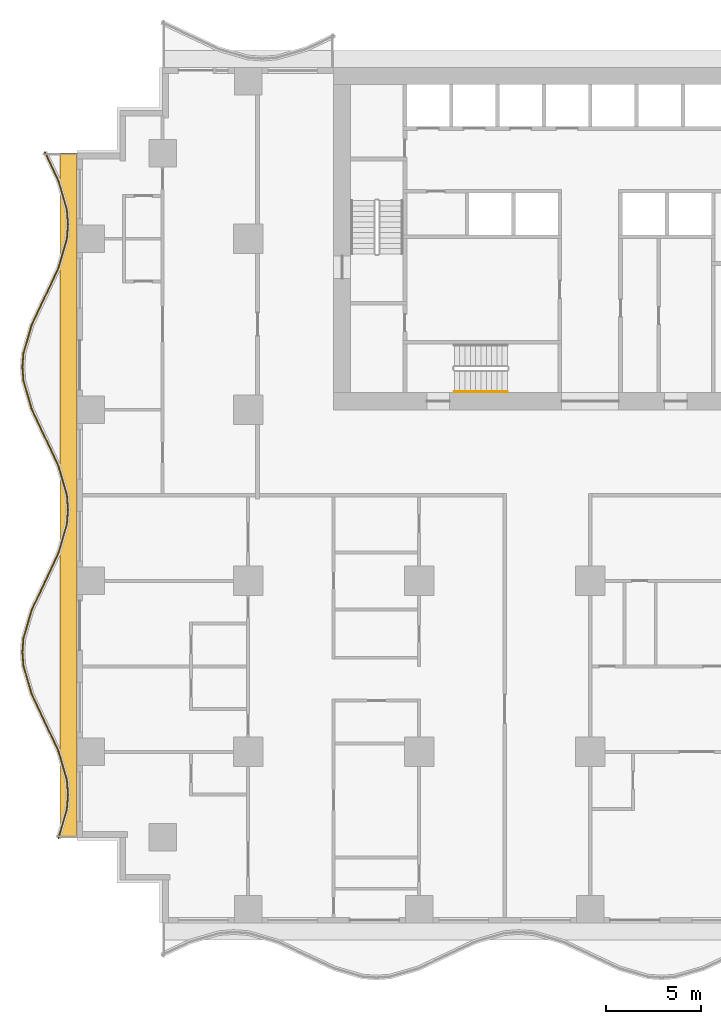
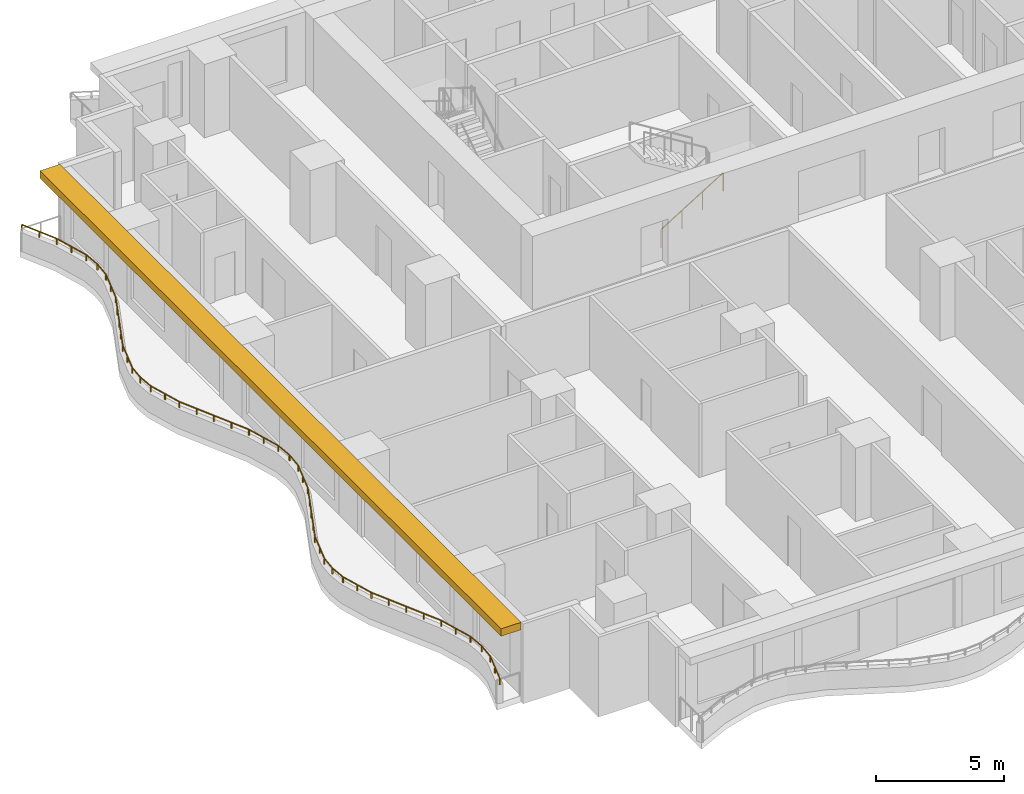
# One storey, part 9 of 14: 2 railings, 1 shading device.
"""IFC4 building model written with IfcOpenShell, lengths in metres."""

from ifc_helpers import new_model, si_unit, direction, frame, origin, origin_2d, place, context, subcontext, project, spatial, polyline, rectangle, circle, outline, extrude, material, layer, layer_set, type_object, element, save


model = new_model("IFC4")

# Units and contexts
model_context = context("Model", 3, precision=1e-05, world=origin(), true_north=direction((0.0, 1.0)))
body_context = subcontext(model_context, "Body", "Model", "MODEL_VIEW")
ifc_project = project(units=[si_unit("LENGTHUNIT", "METRE"), si_unit("AREAUNIT", "SQUARE_METRE"), si_unit("VOLUMEUNIT", "CUBIC_METRE"), si_unit("PLANEANGLEUNIT", "RADIAN"), si_unit("MASSUNIT", "GRAM", prefix="KILO")], contexts=[model_context])

# Site, building, storey
site_placement = place(None, origin())
site = spatial("IfcSite", under=ifc_project, at=site_placement, CompositionType="ELEMENT")
building_placement = place(site_placement, origin())
building = spatial("IfcBuilding", under=site, at=building_placement, Name="Orbiselva Terraces", CompositionType="ELEMENT")
storey_placement = place(building_placement, frame((0.0, 0.0, 30.2)))
storey = spatial("IfcBuildingStorey", under=building, at=storey_placement, Name="L07", CompositionType="ELEMENT", Elevation=30.2)

# Railings
ifc_material_1 = material(Name="Stainless steel", Category="steel")
railing_type_1 = type_object("IfcRailingType", Name="CORE-HANDRAIL-900", PredefinedType="HANDRAIL", material=ifc_material_1)
railing_1_placement = place(storey_placement, frame((-7.15, 5.45, 0.172727)))
element("IfcRailing", 1, at=railing_1_placement, inside=storey, type_object=railing_type_1, Name="L07 S3 stair handrail 1", PredefinedType="HANDRAIL", context=body_context, shape_type="SweptSolid", body=[
    extrude(circle(Radius=0.024, at=origin_2d()), frame((0.0, 0.0, 0.876), z_axis=(0.851088519012, 0.0, 0.52502222125), x_axis=(0.0, 1.0, 0.0)), (0.0, 0.0, 1.0), 3.289905),
    extrude(circle(Radius=0.021, at=origin_2d()), origin(), (0.0, 0.0, 1.0), 0.852),
    extrude(circle(Radius=0.021, at=origin_2d()), frame((0.933333, 0.0, 0.575758)), (0.0, 0.0, 1.0), 0.852),
    extrude(circle(Radius=0.021, at=origin_2d()), frame((1.866667, 0.0, 1.151515)), (0.0, 0.0, 1.0), 0.852),
    extrude(circle(Radius=0.021, at=origin_2d()), frame((2.8, 0.0, 1.727273)), (0.0, 0.0, 1.0), 0.852),
])
ifc_material_2 = material(Name="Bonded two-ply safety glass balustrade, stainless steel posts", Category="steel")
railing_type_2 = type_object("IfcRailingType", Name="ENV-BALUSTRADE-1200", PredefinedType="BALUSTRADE", material=ifc_material_2)
railing_2_placement = place(storey_placement, frame((-28.686882, 18.053191, 0.9)))
element("IfcRailing", 2, at=railing_2_placement, inside=storey, type_object=railing_type_2, Name="Balcony balustrade L07 W", PredefinedType="BALUSTRADE", context=body_context, shape_type="SweptSolid", body=[
    extrude(outline(polyline([(0.028868, 0.0), (0.014434, 0.025), (-0.014434, 0.025), (-0.028868, 0.0), (-0.014434, -0.025), (0.014434, -0.025), (0.028868, 0.0)])), frame((0.0, 0.0, 0.275), z_axis=(0.425530342069, -0.904944157382, 0.0), x_axis=(0.904944157382, 0.425530342069, 0.0)), (0.0, 0.0, 1.0), 1.667376),
    extrude(outline(polyline([(0.028868, 0.0), (0.014434, 0.025), (-0.014434, 0.025), (-0.028868, 0.0), (-0.014434, -0.025), (0.014434, -0.025), (0.028868, 0.0)])), frame((0.709519, -1.508882, 0.275), z_axis=(0.279070928786, -0.960270491427, 0.0), x_axis=(0.960270491427, 0.279070928786, 0.0)), (0.0, 0.0, 1.0), 1.584712),
    extrude(outline(polyline([(0.028868, 0.0), (0.014434, 0.025), (-0.014434, 0.025), (-0.028868, 0.0), (-0.014434, -0.025), (0.014434, -0.025), (0.028868, 0.0)])), frame((1.151766, -3.030634, 0.275), z_axis=(0.078071061106, -0.996947796737, 0.0), x_axis=(0.996947796737, 0.078071061106, 0.0)), (0.0, 0.0, 1.0), 0.774922),
    extrude(outline(polyline([(0.028868, 0.0), (0.014434, 0.025), (-0.014434, 0.025), (-0.028868, 0.0), (-0.014434, -0.025), (0.014434, -0.025), (0.028868, 0.0)])), frame((1.212265, -3.803191, 0.275), z_axis=(-0.078071061106, -0.996947796737, 0.0), x_axis=(0.996947796737, -0.078071061106, 0.0)), (0.0, 0.0, 1.0), 0.774922),
    extrude(outline(polyline([(0.028868, 0.0), (0.014434, 0.025), (-0.014434, 0.025), (-0.028868, 0.0), (-0.014434, -0.025), (0.014434, -0.025), (0.028868, 0.0)])), frame((1.151766, -4.575748, 0.275), z_axis=(-0.279070928786, -0.960270491427, 0.0), x_axis=(0.960270491427, -0.279070928786, 0.0)), (0.0, 0.0, 1.0), 1.584712),
    extrude(outline(polyline([(0.028868, 0.0), (0.014434, 0.025), (-0.014434, 0.025), (-0.028868, 0.0), (-0.014434, -0.025), (0.014434, -0.025), (0.028868, 0.0)])), frame((0.709519, -6.0975, 0.275), z_axis=(-0.425530342069, -0.904944157382, 0.0), x_axis=(0.904944157382, -0.425530342069, 0.0)), (0.0, 0.0, 1.0), 1.667376),
    extrude(outline(polyline([(0.028868, 0.0), (0.014434, 0.025), (-0.014434, 0.025), (-0.028868, 0.0), (-0.014434, -0.025), (0.014434, -0.025), (0.028868, 0.0)])), frame((0.0, -7.606382, 0.275), z_axis=(-0.425529912322, -0.904944359461, 0.0), x_axis=(0.904944359461, -0.425529912322, 0.0)), (0.0, 0.0, 1.0), 1.647746),
    extrude(outline(polyline([(0.028868, 0.0), (0.014434, 0.025), (-0.014434, 0.025), (-0.028868, 0.0), (-0.014434, -0.025), (0.014434, -0.025), (0.028868, 0.0)])), frame((-0.701165, -9.0975, 0.275), z_axis=(-0.279071528957, -0.960270317007, 0.0), x_axis=(0.960270317007, -0.279071528957, 0.0)), (0.0, 0.0, 1.0), 1.539408),
    extrude(outline(polyline([(0.028868, 0.0), (0.014434, 0.025), (-0.014434, 0.025), (-0.028868, 0.0), (-0.014434, -0.025), (0.014434, -0.025), (0.028868, 0.0)])), frame((-1.13077, -10.575748, 0.275), z_axis=(-0.078069536776, -0.996947916106, 0.0), x_axis=(0.996947916106, -0.078069536776, 0.0)), (0.0, 0.0, 1.0), 0.72967),
    extrude(outline(polyline([(0.028868, 0.0), (0.014434, 0.025), (-0.014434, 0.025), (-0.028868, 0.0), (-0.014434, -0.025), (0.014434, -0.025), (0.028868, 0.0)])), frame((-1.187735, -11.303191, 0.275), z_axis=(0.078069536776, -0.996947916106, 0.0), x_axis=(0.996947916106, 0.078069536776, 0.0)), (0.0, 0.0, 1.0), 0.72967),
    extrude(outline(polyline([(0.028868, 0.0), (0.014434, 0.025), (-0.014434, 0.025), (-0.028868, 0.0), (-0.014434, -0.025), (0.014434, -0.025), (0.028868, 0.0)])), frame((-1.13077, -12.030634, 0.275), z_axis=(0.279071528957, -0.960270317007, 0.0), x_axis=(0.960270317007, 0.279071528957, 0.0)), (0.0, 0.0, 1.0), 1.539408),
    extrude(outline(polyline([(0.028868, 0.0), (0.014434, 0.025), (-0.014434, 0.025), (-0.028868, 0.0), (-0.014434, -0.025), (0.014434, -0.025), (0.028868, 0.0)])), frame((-0.701165, -13.508882, 0.275), z_axis=(0.425529912322, -0.904944359461, 0.0), x_axis=(0.904944359461, 0.425529912322, 0.0)), (0.0, 0.0, 1.0), 1.647746),
    extrude(outline(polyline([(0.028868, 0.0), (0.014434, 0.025), (-0.014434, 0.025), (-0.028868, 0.0), (-0.014434, -0.025), (0.014434, -0.025), (0.028868, 0.0)])), frame((0.0, -15.0, 0.275), z_axis=(0.425530342069, -0.904944157382, 0.0), x_axis=(0.904944157382, 0.425530342069, 0.0)), (0.0, 0.0, 1.0), 1.667376),
    extrude(outline(polyline([(0.028868, 0.0), (0.014434, 0.025), (-0.014434, 0.025), (-0.028868, 0.0), (-0.014434, -0.025), (0.014434, -0.025), (0.028868, 0.0)])), frame((0.709519, -16.508882, 0.275), z_axis=(0.279070928786, -0.960270491427, 0.0), x_axis=(0.960270491427, 0.279070928786, 0.0)), (0.0, 0.0, 1.0), 1.584712),
    extrude(outline(polyline([(0.028868, 0.0), (0.014434, 0.025), (-0.014434, 0.025), (-0.028868, 0.0), (-0.014434, -0.025), (0.014434, -0.025), (0.028868, 0.0)])), frame((1.151766, -18.030634, 0.275), z_axis=(0.078071061106, -0.996947796737, 0.0), x_axis=(0.996947796737, 0.078071061106, 0.0)), (0.0, 0.0, 1.0), 0.774922),
    extrude(outline(polyline([(0.028868, 0.0), (0.014434, 0.025), (-0.014434, 0.025), (-0.028868, 0.0), (-0.014434, -0.025), (0.014434, -0.025), (0.028868, 0.0)])), frame((1.212265, -18.803191, 0.275), z_axis=(-0.078071061106, -0.996947796737, 0.0), x_axis=(0.996947796737, -0.078071061106, 0.0)), (0.0, 0.0, 1.0), 0.774922),
    extrude(outline(polyline([(0.028868, 0.0), (0.014434, 0.025), (-0.014434, 0.025), (-0.028868, 0.0), (-0.014434, -0.025), (0.014434, -0.025), (0.028868, 0.0)])), frame((1.151766, -19.575748, 0.275), z_axis=(-0.279070928786, -0.960270491427, 0.0), x_axis=(0.960270491427, -0.279070928786, 0.0)), (0.0, 0.0, 1.0), 1.584712),
    extrude(outline(polyline([(0.028868, 0.0), (0.014434, 0.025), (-0.014434, 0.025), (-0.028868, 0.0), (-0.014434, -0.025), (0.014434, -0.025), (0.028868, 0.0)])), frame((0.709519, -21.0975, 0.275), z_axis=(-0.425530342069, -0.904944157382, 0.0), x_axis=(0.904944157382, -0.425530342069, 0.0)), (0.0, 0.0, 1.0), 1.667376),
    extrude(outline(polyline([(0.028868, 0.0), (0.014434, 0.025), (-0.014434, 0.025), (-0.028868, 0.0), (-0.014434, -0.025), (0.014434, -0.025), (0.028868, 0.0)])), frame((0.0, -22.606382, 0.275), z_axis=(-0.425529912322, -0.904944359461, 0.0), x_axis=(0.904944359461, -0.425529912322, 0.0)), (0.0, 0.0, 1.0), 1.647746),
    extrude(outline(polyline([(0.028868, 0.0), (0.014434, 0.025), (-0.014434, 0.025), (-0.028868, 0.0), (-0.014434, -0.025), (0.014434, -0.025), (0.028868, 0.0)])), frame((-0.701165, -24.0975, 0.275), z_axis=(-0.279071528957, -0.960270317007, 0.0), x_axis=(0.960270317007, -0.279071528957, 0.0)), (0.0, 0.0, 1.0), 1.539408),
    extrude(outline(polyline([(0.028868, 0.0), (0.014434, 0.025), (-0.014434, 0.025), (-0.028868, 0.0), (-0.014434, -0.025), (0.014434, -0.025), (0.028868, 0.0)])), frame((-1.13077, -25.575748, 0.275), z_axis=(-0.078069536776, -0.996947916106, 0.0), x_axis=(0.996947916106, -0.078069536776, 0.0)), (0.0, 0.0, 1.0), 0.72967),
    extrude(outline(polyline([(0.028868, 0.0), (0.014434, 0.025), (-0.014434, 0.025), (-0.028868, 0.0), (-0.014434, -0.025), (0.014434, -0.025), (0.028868, 0.0)])), frame((-1.187735, -26.303191, 0.275), z_axis=(0.078069536776, -0.996947916106, 0.0), x_axis=(0.996947916106, 0.078069536776, 0.0)), (0.0, 0.0, 1.0), 0.72967),
    extrude(outline(polyline([(0.028868, 0.0), (0.014434, 0.025), (-0.014434, 0.025), (-0.028868, 0.0), (-0.014434, -0.025), (0.014434, -0.025), (0.028868, 0.0)])), frame((-1.13077, -27.030634, 0.275), z_axis=(0.279071528957, -0.960270317007, 0.0), x_axis=(0.960270317007, 0.279071528957, 0.0)), (0.0, 0.0, 1.0), 1.539408),
    extrude(outline(polyline([(0.028868, 0.0), (0.014434, 0.025), (-0.014434, 0.025), (-0.028868, 0.0), (-0.014434, -0.025), (0.014434, -0.025), (0.028868, 0.0)])), frame((-0.701165, -28.508882, 0.275), z_axis=(0.425529912322, -0.904944359461, 0.0), x_axis=(0.904944359461, 0.425529912322, 0.0)), (0.0, 0.0, 1.0), 1.647746),
    extrude(outline(polyline([(0.028868, 0.0), (0.014434, 0.025), (-0.014434, 0.025), (-0.028868, 0.0), (-0.014434, -0.025), (0.014434, -0.025), (0.028868, 0.0)])), frame((0.0, -30.0, 0.275), z_axis=(0.425530342069, -0.904944157382, 0.0), x_axis=(0.904944157382, 0.425530342069, 0.0)), (0.0, 0.0, 1.0), 1.667376),
    extrude(outline(polyline([(0.028868, 0.0), (0.014434, 0.025), (-0.014434, 0.025), (-0.028868, 0.0), (-0.014434, -0.025), (0.014434, -0.025), (0.028868, 0.0)])), frame((0.709519, -31.508882, 0.275), z_axis=(0.279070928786, -0.960270491427, 0.0), x_axis=(0.960270491427, 0.279070928786, 0.0)), (0.0, 0.0, 1.0), 1.584712),
    extrude(outline(polyline([(0.028868, 0.0), (0.014434, 0.025), (-0.014434, 0.025), (-0.028868, 0.0), (-0.014434, -0.025), (0.014434, -0.025), (0.028868, 0.0)])), frame((1.151766, -33.030634, 0.275), z_axis=(0.078071061106, -0.996947796737, 0.0), x_axis=(0.996947796737, 0.078071061106, 0.0)), (0.0, 0.0, 1.0), 0.774922),
    extrude(outline(polyline([(0.028868, 0.0), (0.014434, 0.025), (-0.014434, 0.025), (-0.028868, 0.0), (-0.014434, -0.025), (0.014434, -0.025), (0.028868, 0.0)])), frame((1.212265, -33.803191, 0.275), z_axis=(-0.078071061106, -0.996947796737, 0.0), x_axis=(0.996947796737, -0.078071061106, 0.0)), (0.0, 0.0, 1.0), 0.774922),
    extrude(outline(polyline([(0.028868, 0.0), (0.014434, 0.025), (-0.014434, 0.025), (-0.028868, 0.0), (-0.014434, -0.025), (0.014434, -0.025), (0.028868, 0.0)])), frame((1.151766, -34.575748, 0.275), z_axis=(-0.279070966973, -0.96027048033, 0.0), x_axis=(0.96027048033, -0.279070966973, 0.0)), (0.0, 0.0, 1.0), 1.574897),
    extrude(rectangle(XDim=0.05, YDim=0.05, at=origin_2d()), origin(), (0.0, 0.0, 1.0), 0.25),
    extrude(rectangle(XDim=0.05, YDim=0.05, at=origin_2d()), frame((0.35476, -0.754441, 0.0)), (0.0, 0.0, 1.0), 0.25),
    extrude(rectangle(XDim=0.05, YDim=0.05, at=origin_2d()), frame((0.709519, -1.508882, 0.0)), (0.0, 0.0, 1.0), 0.25),
    extrude(rectangle(XDim=0.05, YDim=0.05, at=origin_2d()), frame((0.930643, -2.269758, 0.0)), (0.0, 0.0, 1.0), 0.25),
    extrude(rectangle(XDim=0.05, YDim=0.05, at=origin_2d()), frame((1.151766, -3.030634, 0.0)), (0.0, 0.0, 1.0), 0.25),
    extrude(rectangle(XDim=0.05, YDim=0.05, at=origin_2d()), frame((1.212265, -3.803191, 0.0)), (0.0, 0.0, 1.0), 0.25),
    extrude(rectangle(XDim=0.05, YDim=0.05, at=origin_2d()), frame((1.151766, -4.575748, 0.0)), (0.0, 0.0, 1.0), 0.25),
    extrude(rectangle(XDim=0.05, YDim=0.05, at=origin_2d()), frame((0.930643, -5.336624, 0.0)), (0.0, 0.0, 1.0), 0.25),
    extrude(rectangle(XDim=0.05, YDim=0.05, at=origin_2d()), frame((0.709519, -6.0975, 0.0)), (0.0, 0.0, 1.0), 0.25),
    extrude(rectangle(XDim=0.05, YDim=0.05, at=origin_2d()), frame((0.35476, -6.851941, 0.0)), (0.0, 0.0, 1.0), 0.25),
    extrude(rectangle(XDim=0.05, YDim=0.05, at=origin_2d()), frame((0.0, -7.606382, 0.0)), (0.0, 0.0, 1.0), 0.25),
    extrude(rectangle(XDim=0.05, YDim=0.05, at=origin_2d()), frame((-0.350582, -8.351941, 0.0)), (0.0, 0.0, 1.0), 0.25),
    extrude(rectangle(XDim=0.05, YDim=0.05, at=origin_2d()), frame((-0.701165, -9.0975, 0.0)), (0.0, 0.0, 1.0), 0.25),
    extrude(rectangle(XDim=0.05, YDim=0.05, at=origin_2d()), frame((-0.915967, -9.836624, 0.0)), (0.0, 0.0, 1.0), 0.25),
    extrude(rectangle(XDim=0.05, YDim=0.05, at=origin_2d()), frame((-1.13077, -10.575748, 0.0)), (0.0, 0.0, 1.0), 0.25),
    extrude(rectangle(XDim=0.05, YDim=0.05, at=origin_2d()), frame((-1.187735, -11.303191, 0.0)), (0.0, 0.0, 1.0), 0.25),
    extrude(rectangle(XDim=0.05, YDim=0.05, at=origin_2d()), frame((-1.13077, -12.030634, 0.0)), (0.0, 0.0, 1.0), 0.25),
    extrude(rectangle(XDim=0.05, YDim=0.05, at=origin_2d()), frame((-0.915967, -12.769758, 0.0)), (0.0, 0.0, 1.0), 0.25),
    extrude(rectangle(XDim=0.05, YDim=0.05, at=origin_2d()), frame((-0.701165, -13.508882, 0.0)), (0.0, 0.0, 1.0), 0.25),
    extrude(rectangle(XDim=0.05, YDim=0.05, at=origin_2d()), frame((-0.350582, -14.254441, 0.0)), (0.0, 0.0, 1.0), 0.25),
    extrude(rectangle(XDim=0.05, YDim=0.05, at=origin_2d()), frame((0.0, -15.0, 0.0)), (0.0, 0.0, 1.0), 0.25),
    extrude(rectangle(XDim=0.05, YDim=0.05, at=origin_2d()), frame((0.35476, -15.754441, 0.0)), (0.0, 0.0, 1.0), 0.25),
    extrude(rectangle(XDim=0.05, YDim=0.05, at=origin_2d()), frame((0.709519, -16.508882, 0.0)), (0.0, 0.0, 1.0), 0.25),
    extrude(rectangle(XDim=0.05, YDim=0.05, at=origin_2d()), frame((0.930643, -17.269758, 0.0)), (0.0, 0.0, 1.0), 0.25),
    extrude(rectangle(XDim=0.05, YDim=0.05, at=origin_2d()), frame((1.151766, -18.030634, 0.0)), (0.0, 0.0, 1.0), 0.25),
    extrude(rectangle(XDim=0.05, YDim=0.05, at=origin_2d()), frame((1.212265, -18.803191, 0.0)), (0.0, 0.0, 1.0), 0.25),
    extrude(rectangle(XDim=0.05, YDim=0.05, at=origin_2d()), frame((1.151766, -19.575748, 0.0)), (0.0, 0.0, 1.0), 0.25),
    extrude(rectangle(XDim=0.05, YDim=0.05, at=origin_2d()), frame((0.930643, -20.336624, 0.0)), (0.0, 0.0, 1.0), 0.25),
    extrude(rectangle(XDim=0.05, YDim=0.05, at=origin_2d()), frame((0.709519, -21.0975, 0.0)), (0.0, 0.0, 1.0), 0.25),
    extrude(rectangle(XDim=0.05, YDim=0.05, at=origin_2d()), frame((0.35476, -21.851941, 0.0)), (0.0, 0.0, 1.0), 0.25),
    extrude(rectangle(XDim=0.05, YDim=0.05, at=origin_2d()), frame((0.0, -22.606382, 0.0)), (0.0, 0.0, 1.0), 0.25),
    extrude(rectangle(XDim=0.05, YDim=0.05, at=origin_2d()), frame((-0.350582, -23.351941, 0.0)), (0.0, 0.0, 1.0), 0.25),
    extrude(rectangle(XDim=0.05, YDim=0.05, at=origin_2d()), frame((-0.701165, -24.0975, 0.0)), (0.0, 0.0, 1.0), 0.25),
    extrude(rectangle(XDim=0.05, YDim=0.05, at=origin_2d()), frame((-0.915967, -24.836624, 0.0)), (0.0, 0.0, 1.0), 0.25),
    extrude(rectangle(XDim=0.05, YDim=0.05, at=origin_2d()), frame((-1.13077, -25.575748, 0.0)), (0.0, 0.0, 1.0), 0.25),
    extrude(rectangle(XDim=0.05, YDim=0.05, at=origin_2d()), frame((-1.187735, -26.303191, 0.0)), (0.0, 0.0, 1.0), 0.25),
    extrude(rectangle(XDim=0.05, YDim=0.05, at=origin_2d()), frame((-1.13077, -27.030634, 0.0)), (0.0, 0.0, 1.0), 0.25),
    extrude(rectangle(XDim=0.05, YDim=0.05, at=origin_2d()), frame((-0.915967, -27.769758, 0.0)), (0.0, 0.0, 1.0), 0.25),
    extrude(rectangle(XDim=0.05, YDim=0.05, at=origin_2d()), frame((-0.701165, -28.508882, 0.0)), (0.0, 0.0, 1.0), 0.25),
    extrude(rectangle(XDim=0.05, YDim=0.05, at=origin_2d()), frame((-0.350582, -29.254441, 0.0)), (0.0, 0.0, 1.0), 0.25),
    extrude(rectangle(XDim=0.05, YDim=0.05, at=origin_2d()), frame((0.0, -30.0, 0.0)), (0.0, 0.0, 1.0), 0.25),
    extrude(rectangle(XDim=0.05, YDim=0.05, at=origin_2d()), frame((0.35476, -30.754441, 0.0)), (0.0, 0.0, 1.0), 0.25),
    extrude(rectangle(XDim=0.05, YDim=0.05, at=origin_2d()), frame((0.709519, -31.508882, 0.0)), (0.0, 0.0, 1.0), 0.25),
    extrude(rectangle(XDim=0.05, YDim=0.05, at=origin_2d()), frame((0.930643, -32.269758, 0.0)), (0.0, 0.0, 1.0), 0.25),
    extrude(rectangle(XDim=0.05, YDim=0.05, at=origin_2d()), frame((1.151766, -33.030634, 0.0)), (0.0, 0.0, 1.0), 0.25),
    extrude(rectangle(XDim=0.05, YDim=0.05, at=origin_2d()), frame((1.212265, -33.803191, 0.0)), (0.0, 0.0, 1.0), 0.25),
    extrude(rectangle(XDim=0.05, YDim=0.05, at=origin_2d()), frame((1.151766, -34.575748, 0.0)), (0.0, 0.0, 1.0), 0.25),
    extrude(rectangle(XDim=0.05, YDim=0.05, at=origin_2d()), frame((0.932012, -35.331912, 0.0)), (0.0, 0.0, 1.0), 0.25),
    extrude(rectangle(XDim=0.05, YDim=0.05, at=origin_2d()), frame((0.712258, -36.088075, 0.0)), (0.0, 0.0, 1.0), 0.25),
])

# Shading device
ifc_material_3 = material(Name="Terracotta baguette sunshade", Category="masonry")
ifc_layer = layer(ifc_material_3, 0.35)
ifc_layer_set = layer_set([ifc_layer], Name="Terracotta baguette sunshade")
shading_device_type = type_object("IfcShadingDeviceType", Name="ENV-SUNSHADE-900x350", PredefinedType="USERDEFINED", material=ifc_layer_set)
shading_device_placement = place(storey_placement, frame((0.0, 0.0, 3.15)))
element("IfcShadingDevice", 3, at=shading_device_placement, inside=storey, type_object=shading_device_type, Name="Sunshade band L07 W", ObjectType="SUNSHADE", PredefinedType="USERDEFINED", context=body_context, shape_type="SweptSolid", body=[
    extrude(outline(polyline([(-27.9, 18.0), (-27.9, -18.0), (-27.0, -18.0), (-27.0, 18.0), (-27.9, 18.0)])), origin(), (0.0, 0.0, 1.0), 0.35),
])

save(model, "model.ifc")
